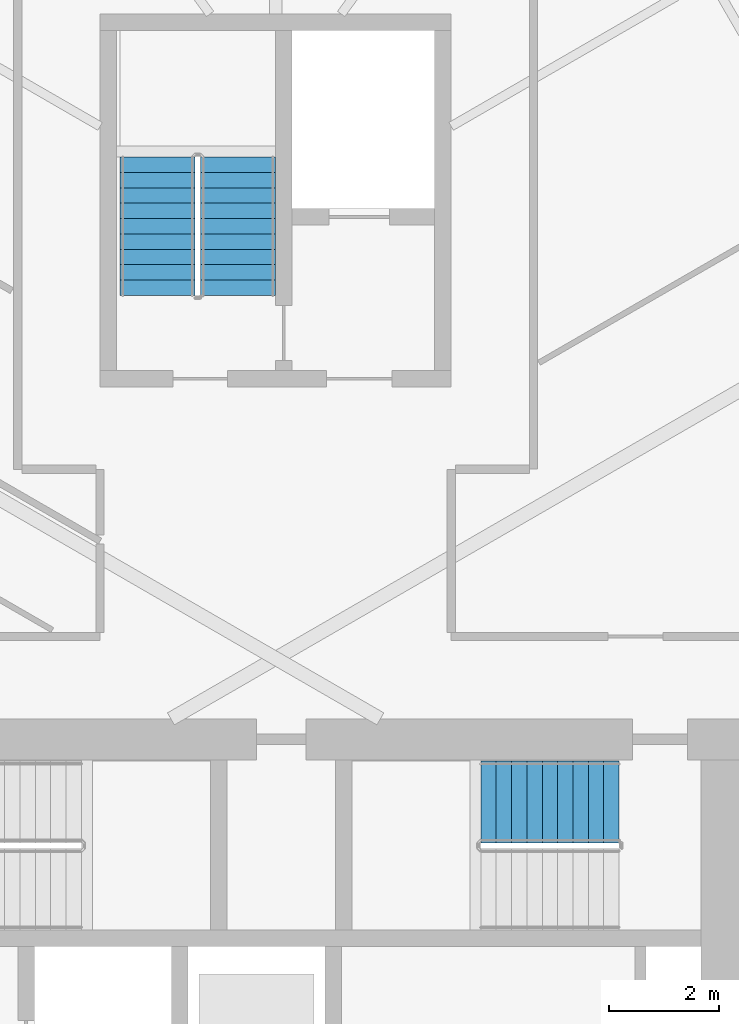
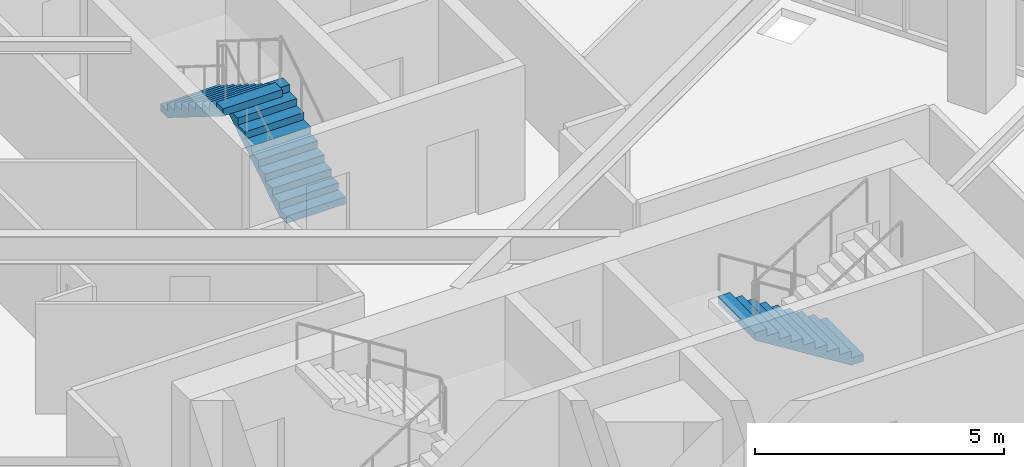
# One storey, part 17 of 19: 3 stair flights, 2 elements without a shape of their own.
"""IFC4 building model written with IfcOpenShell, lengths in metres."""

import ifcopenshell
import ifcopenshell.guid

model = None  # the IFC model being written
_history = None  # IfcOwnerHistory: only IFC2X3 demands one
_inside = {}  # id of a spatial element -> (the spatial element, [elements in it])
_under = {}  # id of a project, library or spatial element -> (it, [spatial elements below it])
_declared = {}  # id of a project -> (the project, [libraries it declares])
_typed = {}  # id of a type object -> (the type object, [elements of that type])
_made_of = {}  # id of a material, layer set ... -> (it, [elements and type objects made of it])


def new_model(schema):
    """Start an empty IFC model of exactly this schema.

    Asked for "IFC4X3", IfcOpenShell would pick the latest addendum, in which some entities
    have other attributes; the version numbers below select the first issue.
    IFC2X3 requires an IfcOwnerHistory on every rooted entity: one is made here for all.
    """
    global model, _history
    if schema == "IFC4X3":
        model = ifcopenshell.file(schema_version=(4, 3, 0, 0))
    else:
        model = ifcopenshell.file(schema=schema)
    _inside.clear()
    _under.clear()
    _declared.clear()
    _typed.clear()
    _made_of.clear()
    _history = None
    if model.schema == "IFC2X3":
        org = make("IfcOrganization", Name="unknown")
        user = make(
            "IfcPersonAndOrganization",
            ThePerson=make("IfcPerson", FamilyName="unknown"),
            TheOrganization=org,
        )
        app = make(
            "IfcApplication",
            ApplicationDeveloper=org,
            Version="unknown",
            ApplicationFullName="unknown",
            ApplicationIdentifier="unknown",
        )
        _history = make(
            "IfcOwnerHistory",
            OwningUser=user,
            OwningApplication=app,
            ChangeAction="ADDED",
            CreationDate=0,
        )
    return model


def make(cls, **values):
    """One entity of the class cls with the attributes given. An attribute that is None is left unset."""
    return model.create_entity(
        cls, **{name: value for name, value in values.items() if value is not None}
    )


def rooted(cls, **values):
    """An entity with a GlobalId (a new one), such as an element, a storey or a relation."""
    return make(cls, GlobalId=ifcopenshell.guid.new(), OwnerHistory=_history, **values)


def si_unit(unit_type, name, prefix=None):
    """IfcSIUnit, for example si_unit("LENGTHUNIT", "METRE", prefix="MILLI")."""
    return make("IfcSIUnit", UnitType=unit_type, Prefix=prefix, Name=name)


def assignment(units):
    """IfcUnitAssignment: the units of a project."""
    return None if units is None else make("IfcUnitAssignment", Units=units)


def point(xyz):
    """IfcCartesianPoint."""
    return None if xyz is None else make("IfcCartesianPoint", Coordinates=xyz)


def direction(xyz):
    """IfcDirection."""
    return None if xyz is None else make("IfcDirection", DirectionRatios=xyz)


def frame(location, z_axis=None, x_axis=None):
    """IfcAxis2Placement3D, a coordinate frame: its origin and axes. An axis left out is left unset."""
    return make(
        "IfcAxis2Placement3D",
        Location=point(location),
        Axis=direction(z_axis),
        RefDirection=direction(x_axis),
    )


def origin():
    """The frame at (0, 0, 0) with its axes left unset."""
    return frame((0.0, 0.0, 0.0))


def place(relative_to, where):
    """IfcLocalPlacement: puts the frame where relative to a parent placement (None: the world)."""
    return make(
        "IfcLocalPlacement", PlacementRelTo=relative_to, RelativePlacement=where
    )


def context(
    kind, dimensions, precision=None, world=None, true_north=None, identifier=None
):
    """IfcGeometricRepresentationContext, for example the 3D "Model" context."""
    return make(
        "IfcGeometricRepresentationContext",
        ContextIdentifier=identifier,
        ContextType=kind,
        CoordinateSpaceDimension=dimensions,
        Precision=precision,
        WorldCoordinateSystem=world,
        TrueNorth=true_north,
    )


def subcontext(parent, identifier, kind, view, scale=None):
    """IfcGeometricRepresentationSubContext, for example "Body" below "Model"."""
    return make(
        "IfcGeometricRepresentationSubContext",
        ContextIdentifier=identifier,
        ContextType=kind,
        ParentContext=parent,
        TargetScale=scale,
        TargetView=view,
    )


def project(units=None, contexts=None):
    """IfcProject with its units and contexts."""
    return rooted(
        "IfcProject",
        Name="project",
        RepresentationContexts=contexts,
        UnitsInContext=assignment(units),
    )


def spatial(cls, under=None, at=None, **own):
    """A site, building, storey or space (cls), placed at a placement, below another one or the project."""
    s = rooted(cls, ObjectPlacement=at, **own)
    if under is not None:
        _under.setdefault(under.id(), (under, []))[1].append(s)
    return s


def polyline(points):
    """IfcPolyline through the points."""
    return make("IfcPolyline", Points=[point(p) for p in points])


def outline(outer, holes=None, kind="AREA"):
    """IfcArbitraryClosedProfileDef: a profile drawn as a closed curve; with holes, ...WithVoids."""
    if holes is None:
        return make("IfcArbitraryClosedProfileDef", ProfileType=kind, OuterCurve=outer)
    return make(
        "IfcArbitraryProfileDefWithVoids",
        ProfileType=kind,
        OuterCurve=outer,
        InnerCurves=holes,
    )


def extrude(swept, where, along, depth):
    """IfcExtrudedAreaSolid: the profile swept, set in the frame where, extruded along a direction by depth."""
    return make(
        "IfcExtrudedAreaSolid",
        SweptArea=swept,
        Position=where,
        ExtrudedDirection=direction(along),
        Depth=depth,
    )


def shape(context_of_items, identifier, shape_type, items):
    """IfcShapeRepresentation: the items that make up one representation, for example the "Body"."""
    return make(
        "IfcShapeRepresentation",
        ContextOfItems=context_of_items,
        RepresentationIdentifier=identifier,
        RepresentationType=shape_type,
        Items=items,
    )


def material(Name=None, Category=None):
    """IfcMaterial."""
    return make("IfcMaterial", Name=Name, Category=Category)


def made_of(thing, what):
    """Note that an element or type object is made of a material, layer set ...; save() writes the relation."""
    if what is not None:
        _made_of.setdefault(what.id(), (what, []))[1].append(thing)
    return thing


def type_object(cls, material=None, **own):
    """A type object (cls), such as IfcWallType, which elements share."""
    return made_of(rooted(cls, **own), material)


def element(
    cls,
    number,
    at=None,
    inside=None,
    cuts=None,
    type_object=None,
    material=None,
    context=None,
    identifier="Body",
    shape_type=None,
    held_by="IfcProductDefinitionShape",
    body=None,
    shapes=None,
    **own,
):
    """One element of the class cls, such as IfcWall. Its Tag is "e" and its number.

    at: its placement. inside: the storey or other place that contains it. cuts: it is an
    opening in that element (IfcRelVoidsElement). A single representation is given by context,
    identifier, shape_type and body (its items); several are given by shapes. held_by: the class
    of the entity that holds the representations. save() writes the other relations.
    """
    e = rooted(cls, Tag="e%d" % number, ObjectPlacement=at, **own)
    if body is not None:
        shapes = [shape(context, identifier, shape_type, body)]
    if shapes is not None:
        e.Representation = make(held_by, Representations=shapes)
    if inside is not None:
        _inside.setdefault(inside.id(), (inside, []))[1].append(e)
    if cuts is not None:
        rooted(
            "IfcRelVoidsElement", RelatingBuildingElement=cuts, RelatedOpeningElement=e
        )
    if type_object is not None:
        _typed.setdefault(type_object.id(), (type_object, []))[1].append(e)
    return made_of(e, material)


def aggregate(whole, parts):
    """IfcRelAggregates: a whole, such as a stair, and the parts it consists of."""
    return rooted("IfcRelAggregates", RelatingObject=whole, RelatedObjects=parts)


def save(model, path):
    """Write the relations noted so far, then the file.

    IfcRelAggregates (storeys below a building ...), IfcRelContainedInSpatialStructure (elements
    in a storey), IfcRelDefinesByType, IfcRelAssociatesMaterial and IfcRelDeclares: one each for
    every whole, place, type object, material and project.
    """
    for whole, parts in _under.values():
        aggregate(whole, parts)
    for where, things in _inside.values():
        rooted(
            "IfcRelContainedInSpatialStructure",
            RelatedElements=things,
            RelatingStructure=where,
        )
    for kind, things in _typed.values():
        rooted("IfcRelDefinesByType", RelatedObjects=things, RelatingType=kind)
    for what, things in _made_of.values():
        rooted("IfcRelAssociatesMaterial", RelatedObjects=things, RelatingMaterial=what)
    for by, libraries in _declared.values():
        rooted("IfcRelDeclares", RelatingContext=by, RelatedDefinitions=libraries)
    model.write(path)


model = new_model("IFC4")

# Units and contexts
model_context = context("Model", 3, precision=1e-05, world=origin(), true_north=direction((0.0, 1.0)))
body_context = subcontext(model_context, "Body", "Model", "MODEL_VIEW")
ifc_project = project(units=[si_unit("LENGTHUNIT", "METRE"), si_unit("AREAUNIT", "SQUARE_METRE"), si_unit("VOLUMEUNIT", "CUBIC_METRE"), si_unit("PLANEANGLEUNIT", "RADIAN"), si_unit("MASSUNIT", "GRAM", prefix="KILO")], contexts=[model_context])

# Site, building, storey
site_placement = place(None, origin())
site = spatial("IfcSite", under=ifc_project, at=site_placement, CompositionType="ELEMENT")
building_placement = place(site_placement, origin())
building = spatial("IfcBuilding", under=site, at=building_placement, Name="Firuza Gate Tower and Library", CompositionType="ELEMENT")
storey_placement = place(building_placement, frame((0.0, 0.0, 256.60009765625)))
storey = spatial("IfcBuildingStorey", under=building, at=storey_placement, Name="L60", CompositionType="ELEMENT", Elevation=256.60009765625)

# Stair, stair flights
ifc_material_1 = material(Name="Concrete C35/45", Category="concrete")
stair_type_1 = type_object("IfcStairType", Name="Exit stair ST17", PredefinedType="HALF_TURN_STAIR", material=ifc_material_1)
placement = place(storey_placement, origin())
stair_1 = element("IfcStair", 1, at=placement, inside=storey, type_object=stair_type_1, Name="L60 Stair ST3", PredefinedType="HALF_TURN_STAIR")
ifc_material_2 = material(Name="Concrete C35/45", Category="concrete")
stair_flight_type_1 = type_object("IfcStairFlightType", Name="Stair flight 10 risers 175 width 1370", PredefinedType="STRAIGHT", material=ifc_material_2)
stair_flight_1_placement = place(storey_placement, frame((74.31494140625, 89.469970703125, 0.0), z_axis=(0.0, 0.0, 1.0), x_axis=(0.0, 1.0, 0.0)))
stair_flight_1 = element("IfcStairFlight", 2, at=stair_flight_1_placement, type_object=stair_flight_type_1, Name="ST3 flight 1", NumberOfRisers=10, NumberOfTreads=9, PredefinedType="STRAIGHT", RiserHeight=0.175, TreadLength=0.28, context=body_context, shape_type="SweptSolid", body=[
    extrude(outline(polyline([(0.0, 0.0), (0.0, 0.175048828125), (0.280029296875, 0.175048828125), (0.280029296875, 0.35009765625), (0.56005859375, 0.35009765625), (0.56005859375, 0.52490234375), (0.840087890625, 0.52490234375), (0.840087890625, 0.699951171875), (1.1201171875, 0.699951171875), (1.1201171875, 0.875), (1.39990234375, 0.875), (1.39990234375, 1.050048828125), (1.679931640625, 1.050048828125), (1.679931640625, 1.22509765625), (1.9599609375, 1.22509765625), (1.9599609375, 1.39990234375), (2.239990234375, 1.39990234375), (2.239990234375, 1.574951171875), (2.52001953125, 1.574951171875), (2.52001953125, 1.75), (2.52001953125, 1.398193359375), (0.28271484375, 0.0), (0.0, 0.0)])), frame((0.0, 0.68505859375, 0.0), z_axis=(0.0, -1.0, 0.0), x_axis=(1.0, 0.0, 0.0)), (0.0, 0.0, 1.0), 1.3701171875),
])
stair_flight_2_placement = place(storey_placement, frame((72.844970703125, 91.989990234375, 1.75), z_axis=(0.0, 0.0, 1.0), x_axis=(0.0, -1.0, 0.0)))
stair_flight_2 = element("IfcStairFlight", 3, at=stair_flight_2_placement, type_object=stair_flight_type_1, Name="ST3 flight 2", NumberOfRisers=10, NumberOfTreads=9, PredefinedType="STRAIGHT", RiserHeight=0.175, TreadLength=0.28, context=body_context, shape_type="SweptSolid", body=[
    extrude(outline(polyline([(0.0, 0.0), (0.0, 0.175048828125), (0.280029296875, 0.175048828125), (0.280029296875, 0.35009765625), (0.56005859375, 0.35009765625), (0.56005859375, 0.52490234375), (0.840087890625, 0.52490234375), (0.840087890625, 0.699951171875), (1.1201171875, 0.699951171875), (1.1201171875, 0.875), (1.39990234375, 0.875), (1.39990234375, 1.050048828125), (1.679931640625, 1.050048828125), (1.679931640625, 1.22509765625), (1.9599609375, 1.22509765625), (1.9599609375, 1.39990234375), (2.239990234375, 1.39990234375), (2.239990234375, 1.574951171875), (2.52001953125, 1.574951171875), (2.52001953125, 1.75), (2.52001953125, 1.398193359375), (0.28271484375, 0.0), (0.0, 0.0)])), frame((0.0, 0.68505859375, 0.0), z_axis=(0.0, -1.0, 0.0), x_axis=(1.0, 0.0, 0.0)), (0.0, 0.0, 1.0), 1.3701171875),
])
aggregate(stair_1, [stair_flight_1, stair_flight_2])

# Stair, stair flight
ifc_material_3 = material(Name="Concrete C35/45", Category="concrete")
stair_type_2 = type_object("IfcStairType", Name="Exit stair ST8", PredefinedType="HALF_TURN_STAIR", material=ifc_material_3)
stair_2 = element("IfcStair", 4, at=placement, inside=storey, type_object=stair_type_2, Name="L60 Stair ST2", PredefinedType="HALF_TURN_STAIR")
ifc_material_4 = material(Name="Concrete C35/45", Category="concrete")
stair_flight_type_2 = type_object("IfcStairFlightType", Name="Stair flight 10 risers 175 width 1490", PredefinedType="STRAIGHT", material=ifc_material_4)
stair_flight_3_placement = place(storey_placement, frame((81.260009765625, 80.235107421875, 0.0), z_axis=(0.0, 0.0, 1.0), x_axis=(-1.0, 0.0, 0.0)))
stair_flight_3 = element("IfcStairFlight", 5, at=stair_flight_3_placement, type_object=stair_flight_type_2, Name="ST2 flight 1", NumberOfRisers=10, NumberOfTreads=9, PredefinedType="STRAIGHT", RiserHeight=0.175, TreadLength=0.28, context=body_context, shape_type="SweptSolid", body=[
    extrude(outline(polyline([(0.0, 0.0), (0.0, 0.175048828125), (0.280029296875, 0.175048828125), (0.280029296875, 0.35009765625), (0.56005859375, 0.35009765625), (0.56005859375, 0.52490234375), (0.840087890625, 0.52490234375), (0.840087890625, 0.699951171875), (1.1201171875, 0.699951171875), (1.1201171875, 0.875), (1.39990234375, 0.875), (1.39990234375, 1.050048828125), (1.679931640625, 1.050048828125), (1.679931640625, 1.22509765625), (1.9599609375, 1.22509765625), (1.9599609375, 1.39990234375), (2.239990234375, 1.39990234375), (2.239990234375, 1.574951171875), (2.52001953125, 1.574951171875), (2.52001953125, 1.75), (2.52001953125, 1.398193359375), (0.28271484375, 0.0), (0.0, 0.0)])), frame((0.0, 0.7451171875, 0.0), z_axis=(0.0, -1.0, 0.0), x_axis=(1.0, 0.0, 0.0)), (0.0, 0.0, 1.0), 1.489990234375),
])
aggregate(stair_2, [stair_flight_3])

save(model, "model.ifc")
